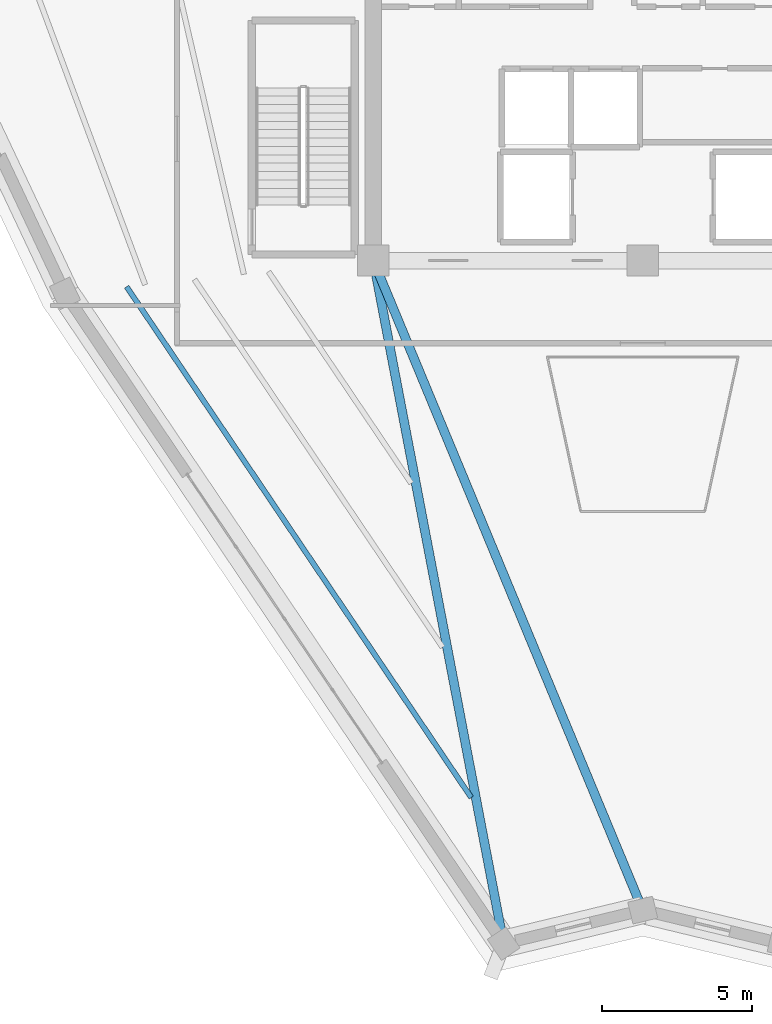
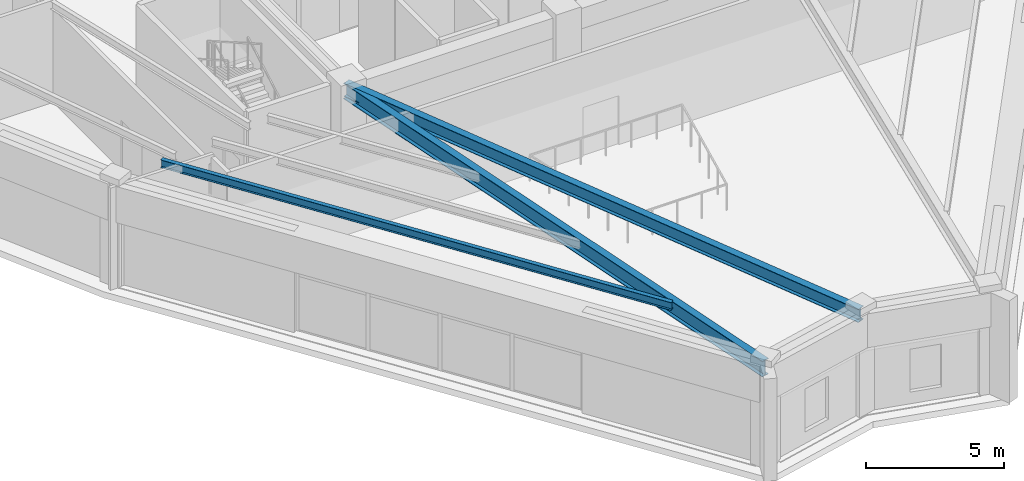
# One storey, part 7 of 40: 3 beams.
"""IFC4 building model written with IfcOpenShell, lengths in metres."""

from ifc_helpers import new_model, si_unit, direction, frame, origin, origin_2d, place, context, subcontext, project, spatial, i_section, extrude, source, transform, mapped, material, material_profile, profile_set, type_object, element, save


model = new_model("IFC4")

# Units and contexts
model_context = context("Model", 3, precision=1e-05, world=origin(), true_north=direction((0.0, 1.0)))
body_context = subcontext(model_context, "Body", "Model", "MODEL_VIEW")
ifc_project = project(units=[si_unit("LENGTHUNIT", "METRE"), si_unit("AREAUNIT", "SQUARE_METRE"), si_unit("VOLUMEUNIT", "CUBIC_METRE"), si_unit("PLANEANGLEUNIT", "RADIAN"), si_unit("MASSUNIT", "GRAM", prefix="KILO")], contexts=[model_context])

# Site, building, storey
site_placement = place(None, origin())
site = spatial("IfcSite", under=ifc_project, at=site_placement, CompositionType="ELEMENT")
building_placement = place(site_placement, origin())
building = spatial("IfcBuilding", under=site, at=building_placement, Name="Liaohun Quay Tower", CompositionType="ELEMENT")
storey_placement = place(building_placement, frame((0.0, 0.0, 351.0)))
storey = spatial("IfcBuildingStorey", under=building, at=storey_placement, Name="L91", CompositionType="ELEMENT", Elevation=351.0)

# Beams
ifc_material = material(Name="Steel Q355D", Category="steel")
ifc_material_profile_1 = material_profile(ifc_material, i_section(OverallWidth=0.300048828125, OverallDepth=0.699951171875, WebThickness=0.012939453125, FlangeThickness=0.02392578125, at=origin_2d()), Name="HN700x300x13x24")
ifc_profile_set_1 = profile_set([ifc_material_profile_1], Name="Steel Q355D")
beam_type_1 = type_object("IfcBeamType", Name="BM-RAD-U1", PredefinedType="BEAM", material=ifc_profile_set_1)
shared_shape_1 = source(origin(), body_context, "Body", "SweptSolid", [
    extrude(i_section(OverallWidth=0.300048828125, OverallDepth=0.699951171875, WebThickness=0.012939453125, FlangeThickness=0.02392578125, at=origin_2d()), origin(), (0.0, 0.0, 1.0), 23.233642578125),
])
beam_1_placement = place(storey_placement, frame((51.0, 46.5, 4.169921875), z_axis=(0.187400853189, -0.982283523339, 0.0), x_axis=(0.982283523339, 0.187400853189, 0.0)))
element("IfcBeam", 1, at=beam_1_placement, inside=storey, type_object=beam_type_1, Name="L91 Radial Primary Girder CC1-PC01", PredefinedType="BEAM", context=body_context, shape_type="MappedRepresentation", body=[
    mapped(shared_shape_1, transform((0.0, 0.0, 0.0), x_axis=(1.0, 0.0, 0.0), y_axis=(0.0, 1.0, 0.0), z_axis=(0.0, 0.0, 1.0), scale=1.0)),
])
ifc_material_profile_2 = material_profile(ifc_material, i_section(OverallWidth=0.300048828125, OverallDepth=0.587890625, WebThickness=0.011962890625, FlangeThickness=0.02001953125, at=origin_2d()), Name="HM588x300x12x20")
ifc_profile_set_2 = profile_set([ifc_material_profile_2], Name="Steel Q355D")
beam_type_2 = type_object("IfcBeamType", Name="BM-RAD-U2", PredefinedType="BEAM", material=ifc_profile_set_2)
shared_shape_2 = source(origin(), body_context, "Body", "SweptSolid", [
    extrude(i_section(OverallWidth=0.300048828125, OverallDepth=0.587890625, WebThickness=0.011962890625, FlangeThickness=0.02001953125, at=origin_2d()), origin(), (0.0, 0.0, 1.0), 23.4931640625),
])
beam_2_placement = place(storey_placement, frame((51.0, 46.5, 4.22607421875), z_axis=(0.383089637916, -0.923711172024, 0.0), x_axis=(0.923711172024, 0.383089637916, 0.0)))
element("IfcBeam", 2, at=beam_2_placement, inside=storey, type_object=beam_type_2, Name="L91 Radial Primary Girder CC1-PC12", PredefinedType="BEAM", context=body_context, shape_type="MappedRepresentation", body=[
    mapped(shared_shape_2, transform((0.0, 0.0, 0.0), x_axis=(1.0, 0.0, 0.0), y_axis=(0.0, 1.0, 0.0), z_axis=(0.0, 0.0, 1.0), scale=1.0)),
])
ifc_material_profile_3 = material_profile(ifc_material, i_section(OverallWidth=0.175048828125, OverallDepth=0.35009765625, WebThickness=0.007080078125, FlangeThickness=0.010986328125, at=origin_2d()), Name="HN350x175x7x11")
ifc_profile_set_3 = profile_set([ifc_material_profile_3], Name="Steel Q355D")
beam_type_3 = type_object("IfcBeamType", Name="BM-SEC-J3", PredefinedType="JOIST", material=ifc_profile_set_3)
shared_shape_3 = source(origin(), body_context, "Body", "SweptSolid", [
    extrude(i_section(OverallWidth=0.175048828125, OverallDepth=0.35009765625, WebThickness=0.007080078125, FlangeThickness=0.010986328125, at=origin_2d()), origin(), (0.0, 0.0, 1.0), 20.585205078125),
])
beam_3_placement = place(storey_placement, frame((54.27001953125, 28.55810546875, 4.344970703125), z_axis=(-0.559188873845, 0.829040290558, 0.0), x_axis=(-0.829040290558, -0.559188873845, 0.0)))
element("IfcBeam", 3, at=beam_3_placement, inside=storey, type_object=beam_type_3, Name="L91 Wing Secondary Floor Joist SJ-03", PredefinedType="JOIST", context=body_context, shape_type="MappedRepresentation", body=[
    mapped(shared_shape_3, transform((0.0, 0.0, 0.0), x_axis=(1.0, 0.0, 0.0), y_axis=(0.0, 1.0, 0.0), z_axis=(0.0, 0.0, 1.0), scale=1.0)),
])

save(model, "model.ifc")
